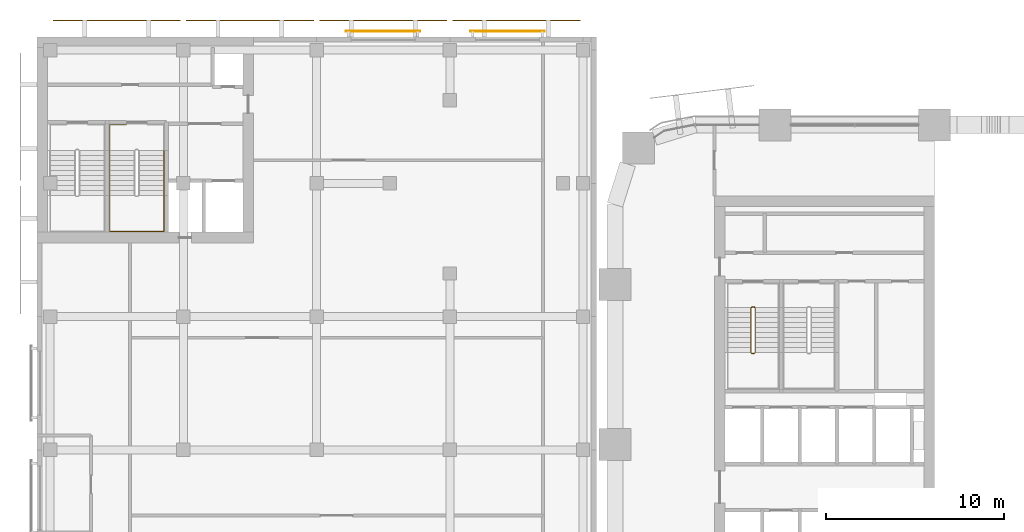
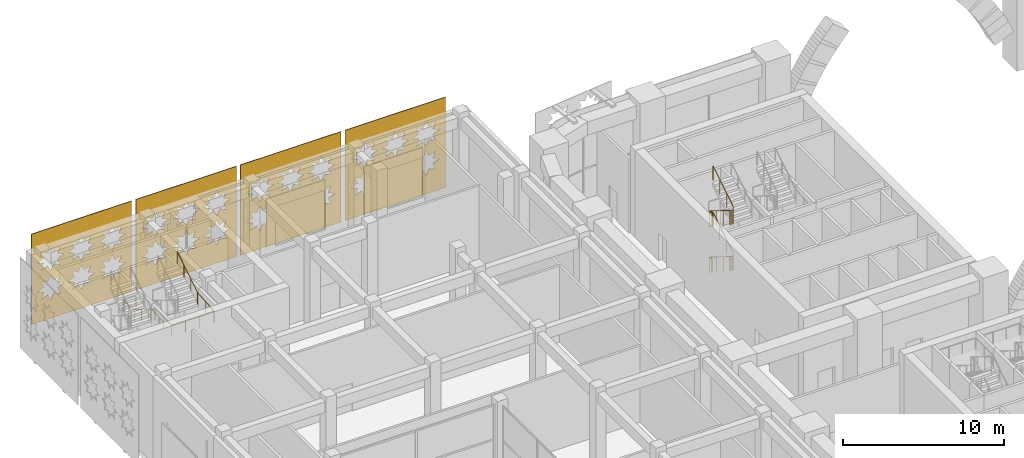
# One storey, part 38 of 42: 6 coverings, 2 railings.
"""IFC4 building model written with IfcOpenShell, lengths in metres."""

from ifc_helpers import new_model, si_unit, direction, frame, origin, origin_2d, place, context, subcontext, project, spatial, polyline, rectangle, circle, outline, extrude, material, layer, layer_set, type_object, element, save


model = new_model("IFC4")

# Units and contexts
model_context = context("Model", 3, precision=1e-05, world=origin(), true_north=direction((0.0, 1.0)))
body_context = subcontext(model_context, "Body", "Model", "MODEL_VIEW")
ifc_project = project(units=[si_unit("LENGTHUNIT", "METRE"), si_unit("AREAUNIT", "SQUARE_METRE"), si_unit("VOLUMEUNIT", "CUBIC_METRE"), si_unit("PLANEANGLEUNIT", "RADIAN"), si_unit("MASSUNIT", "GRAM", prefix="KILO")], contexts=[model_context])

# Site, building, storey
site_placement = place(None, origin())
site = spatial("IfcSite", under=ifc_project, at=site_placement, CompositionType="ELEMENT")
building_placement = place(site_placement, origin())
building = spatial("IfcBuilding", under=site, at=building_placement, Name="Tessera Arch", CompositionType="ELEMENT")
storey_placement = place(building_placement, frame((0.0, 0.0, 14.0)))
storey = spatial("IfcBuildingStorey", under=building, at=storey_placement, Name="L02", CompositionType="ELEMENT", Elevation=14.0)

# Coverings
ifc_material_1 = material(Name="Anodised aluminium pale metal", Category="aluminium")
ifc_layer_1 = layer(ifc_material_1, 0.050048828125)
ifc_layer_set_1 = layer_set([ifc_layer_1], Name="Museum lattice skin panel")
covering_type_1 = type_object("IfcCoveringType", Name="Museum lattice skin panel", PredefinedType="CLADDING", material=ifc_layer_set_1)
covering_1_placement = place(storey_placement, frame((-1.949951171875, 59.85009765625, 6.949951171875), z_axis=(0.0, -1.0, 0.0), x_axis=(-1.0, 0.0, 0.0)))
element("IfcCovering", 1, at=covering_1_placement, inside=storey, type_object=covering_type_1, Name="Museum lattice skin L02 5-2", PredefinedType="CLADDING", context=body_context, shape_type="SweptSolid", body=[
    extrude(outline(polyline([(0.0, 0.0), (7.199951171875, 0.0), (7.199951171875, 6.849853515625), (0.0, 6.849853515625), (0.0, 0.0)]), holes=[polyline([(2.3681640625, 4.52490234375), (1.887939453125, 4.322998046875), (2.083984375, 3.841064453125), (1.60205078125, 4.036865234375), (1.400146484375, 3.556884765625), (1.197998046875, 4.036865234375), (0.716064453125, 3.841064453125), (0.912109375, 4.322998046875), (0.43212890625, 4.52490234375), (0.912109375, 4.72705078125), (0.716064453125, 5.208984375), (1.197998046875, 5.012939453125), (1.400146484375, 5.492919921875), (1.60205078125, 5.012939453125), (2.083984375, 5.208984375), (1.887939453125, 4.72705078125), (2.3681640625, 4.52490234375)]), polyline([(2.3681640625, 2.324951171875), (1.887939453125, 2.123046875), (2.083984375, 1.640869140625), (1.60205078125, 1.8369140625), (1.400146484375, 1.35693359375), (1.197998046875, 1.8369140625), (0.716064453125, 1.640869140625), (0.912109375, 2.123046875), (0.43212890625, 2.324951171875), (0.912109375, 2.52685546875), (0.716064453125, 3.009033203125), (1.197998046875, 2.81298828125), (1.400146484375, 3.29296875), (1.60205078125, 2.81298828125), (2.083984375, 3.009033203125), (1.887939453125, 2.52685546875), (2.3681640625, 2.324951171875)]), polyline([(4.568115234375, 4.52490234375), (4.088134765625, 4.322998046875), (4.283935546875, 3.841064453125), (3.802001953125, 4.036865234375), (3.60009765625, 3.556884765625), (3.39794921875, 4.036865234375), (2.916015625, 3.841064453125), (3.112060546875, 4.322998046875), (2.632080078125, 4.52490234375), (3.112060546875, 4.72705078125), (2.916015625, 5.208984375), (3.39794921875, 5.012939453125), (3.60009765625, 5.492919921875), (3.802001953125, 5.012939453125), (4.283935546875, 5.208984375), (4.088134765625, 4.72705078125), (4.568115234375, 4.52490234375)]), polyline([(4.568115234375, 2.324951171875), (4.088134765625, 2.123046875), (4.283935546875, 1.640869140625), (3.802001953125, 1.8369140625), (3.60009765625, 1.35693359375), (3.39794921875, 1.8369140625), (2.916015625, 1.640869140625), (3.112060546875, 2.123046875), (2.632080078125, 2.324951171875), (3.112060546875, 2.52685546875), (2.916015625, 3.009033203125), (3.39794921875, 2.81298828125), (3.60009765625, 3.29296875), (3.802001953125, 2.81298828125), (4.283935546875, 3.009033203125), (4.088134765625, 2.52685546875), (4.568115234375, 2.324951171875)]), polyline([(6.76806640625, 4.52490234375), (6.2880859375, 4.322998046875), (6.484130859375, 3.841064453125), (6.001953125, 4.036865234375), (5.800048828125, 3.556884765625), (5.59814453125, 4.036865234375), (5.115966796875, 3.841064453125), (5.31201171875, 4.322998046875), (4.83203125, 4.52490234375), (5.31201171875, 4.72705078125), (5.115966796875, 5.208984375), (5.59814453125, 5.012939453125), (5.800048828125, 5.492919921875), (6.001953125, 5.012939453125), (6.484130859375, 5.208984375), (6.2880859375, 4.72705078125), (6.76806640625, 4.52490234375)]), polyline([(6.76806640625, 2.324951171875), (6.2880859375, 2.123046875), (6.484130859375, 1.640869140625), (6.001953125, 1.8369140625), (5.800048828125, 1.35693359375), (5.59814453125, 1.8369140625), (5.115966796875, 1.640869140625), (5.31201171875, 2.123046875), (4.83203125, 2.324951171875), (5.31201171875, 2.52685546875), (5.115966796875, 3.009033203125), (5.59814453125, 2.81298828125), (5.800048828125, 3.29296875), (6.001953125, 2.81298828125), (6.484130859375, 3.009033203125), (6.2880859375, 2.52685546875), (6.76806640625, 2.324951171875)])]), origin(), (0.0, 0.0, -1.0), 0.050048828125),
])
covering_2_placement = place(storey_placement, frame((-9.449951171875, 59.85009765625, 6.949951171875), z_axis=(0.0, -1.0, 0.0), x_axis=(-1.0, 0.0, 0.0)))
element("IfcCovering", 2, at=covering_2_placement, inside=storey, type_object=covering_type_1, Name="Museum lattice skin L02 5-3", PredefinedType="CLADDING", context=body_context, shape_type="SweptSolid", body=[
    extrude(outline(polyline([(0.0, 0.0), (7.199951171875, 0.0), (7.199951171875, 6.849853515625), (0.0, 6.849853515625), (0.0, 0.0)]), holes=[polyline([(2.3681640625, 4.52490234375), (1.887939453125, 4.322998046875), (2.083984375, 3.841064453125), (1.60205078125, 4.036865234375), (1.400146484375, 3.556884765625), (1.197998046875, 4.036865234375), (0.716064453125, 3.841064453125), (0.912109375, 4.322998046875), (0.43212890625, 4.52490234375), (0.912109375, 4.72705078125), (0.716064453125, 5.208984375), (1.197998046875, 5.012939453125), (1.400146484375, 5.492919921875), (1.60205078125, 5.012939453125), (2.083984375, 5.208984375), (1.887939453125, 4.72705078125), (2.3681640625, 4.52490234375)]), polyline([(2.3681640625, 2.324951171875), (1.887939453125, 2.123046875), (2.083984375, 1.640869140625), (1.60205078125, 1.8369140625), (1.400146484375, 1.35693359375), (1.197998046875, 1.8369140625), (0.716064453125, 1.640869140625), (0.912109375, 2.123046875), (0.43212890625, 2.324951171875), (0.912109375, 2.52685546875), (0.716064453125, 3.009033203125), (1.197998046875, 2.81298828125), (1.400146484375, 3.29296875), (1.60205078125, 2.81298828125), (2.083984375, 3.009033203125), (1.887939453125, 2.52685546875), (2.3681640625, 2.324951171875)]), polyline([(4.568115234375, 4.52490234375), (4.088134765625, 4.322998046875), (4.283935546875, 3.841064453125), (3.802001953125, 4.036865234375), (3.60009765625, 3.556884765625), (3.39794921875, 4.036865234375), (2.916015625, 3.841064453125), (3.112060546875, 4.322998046875), (2.632080078125, 4.52490234375), (3.112060546875, 4.72705078125), (2.916015625, 5.208984375), (3.39794921875, 5.012939453125), (3.60009765625, 5.492919921875), (3.802001953125, 5.012939453125), (4.283935546875, 5.208984375), (4.088134765625, 4.72705078125), (4.568115234375, 4.52490234375)]), polyline([(4.568115234375, 2.324951171875), (4.088134765625, 2.123046875), (4.283935546875, 1.640869140625), (3.802001953125, 1.8369140625), (3.60009765625, 1.35693359375), (3.39794921875, 1.8369140625), (2.916015625, 1.640869140625), (3.112060546875, 2.123046875), (2.632080078125, 2.324951171875), (3.112060546875, 2.52685546875), (2.916015625, 3.009033203125), (3.39794921875, 2.81298828125), (3.60009765625, 3.29296875), (3.802001953125, 2.81298828125), (4.283935546875, 3.009033203125), (4.088134765625, 2.52685546875), (4.568115234375, 2.324951171875)]), polyline([(6.76806640625, 4.52490234375), (6.2880859375, 4.322998046875), (6.484130859375, 3.841064453125), (6.001953125, 4.036865234375), (5.800048828125, 3.556884765625), (5.59814453125, 4.036865234375), (5.115966796875, 3.841064453125), (5.31201171875, 4.322998046875), (4.83203125, 4.52490234375), (5.31201171875, 4.72705078125), (5.115966796875, 5.208984375), (5.59814453125, 5.012939453125), (5.800048828125, 5.492919921875), (6.001953125, 5.012939453125), (6.484130859375, 5.208984375), (6.2880859375, 4.72705078125), (6.76806640625, 4.52490234375)]), polyline([(6.76806640625, 2.324951171875), (6.2880859375, 2.123046875), (6.484130859375, 1.640869140625), (6.001953125, 1.8369140625), (5.800048828125, 1.35693359375), (5.59814453125, 1.8369140625), (5.115966796875, 1.640869140625), (5.31201171875, 2.123046875), (4.83203125, 2.324951171875), (5.31201171875, 2.52685546875), (5.115966796875, 3.009033203125), (5.59814453125, 2.81298828125), (5.800048828125, 3.29296875), (6.001953125, 2.81298828125), (6.484130859375, 3.009033203125), (6.2880859375, 2.52685546875), (6.76806640625, 2.324951171875)])]), origin(), (0.0, 0.0, -1.0), 0.050048828125),
])
covering_3_placement = place(storey_placement, frame((-16.949951171875, 59.85009765625, 6.949951171875), z_axis=(0.0, -1.0, 0.0), x_axis=(-1.0, 0.0, 0.0)))
element("IfcCovering", 3, at=covering_3_placement, inside=storey, type_object=covering_type_1, Name="Museum lattice skin L02 5-4", PredefinedType="CLADDING", context=body_context, shape_type="SweptSolid", body=[
    extrude(outline(polyline([(0.0, 0.0), (7.199951171875, 0.0), (7.199951171875, 6.849853515625), (0.0, 6.849853515625), (0.0, 0.0)]), holes=[polyline([(2.3681640625, 4.52490234375), (1.887939453125, 4.322998046875), (2.083984375, 3.841064453125), (1.60205078125, 4.036865234375), (1.400146484375, 3.556884765625), (1.197998046875, 4.036865234375), (0.716064453125, 3.841064453125), (0.912109375, 4.322998046875), (0.43212890625, 4.52490234375), (0.912109375, 4.72705078125), (0.716064453125, 5.208984375), (1.197998046875, 5.012939453125), (1.400146484375, 5.492919921875), (1.60205078125, 5.012939453125), (2.083984375, 5.208984375), (1.887939453125, 4.72705078125), (2.3681640625, 4.52490234375)]), polyline([(2.3681640625, 2.324951171875), (1.887939453125, 2.123046875), (2.083984375, 1.640869140625), (1.60205078125, 1.8369140625), (1.400146484375, 1.35693359375), (1.197998046875, 1.8369140625), (0.716064453125, 1.640869140625), (0.912109375, 2.123046875), (0.43212890625, 2.324951171875), (0.912109375, 2.52685546875), (0.716064453125, 3.009033203125), (1.197998046875, 2.81298828125), (1.400146484375, 3.29296875), (1.60205078125, 2.81298828125), (2.083984375, 3.009033203125), (1.887939453125, 2.52685546875), (2.3681640625, 2.324951171875)]), polyline([(4.568115234375, 4.52490234375), (4.088134765625, 4.322998046875), (4.283935546875, 3.841064453125), (3.802001953125, 4.036865234375), (3.60009765625, 3.556884765625), (3.39794921875, 4.036865234375), (2.916015625, 3.841064453125), (3.112060546875, 4.322998046875), (2.632080078125, 4.52490234375), (3.112060546875, 4.72705078125), (2.916015625, 5.208984375), (3.39794921875, 5.012939453125), (3.60009765625, 5.492919921875), (3.802001953125, 5.012939453125), (4.283935546875, 5.208984375), (4.088134765625, 4.72705078125), (4.568115234375, 4.52490234375)]), polyline([(4.568115234375, 2.324951171875), (4.088134765625, 2.123046875), (4.283935546875, 1.640869140625), (3.802001953125, 1.8369140625), (3.60009765625, 1.35693359375), (3.39794921875, 1.8369140625), (2.916015625, 1.640869140625), (3.112060546875, 2.123046875), (2.632080078125, 2.324951171875), (3.112060546875, 2.52685546875), (2.916015625, 3.009033203125), (3.39794921875, 2.81298828125), (3.60009765625, 3.29296875), (3.802001953125, 2.81298828125), (4.283935546875, 3.009033203125), (4.088134765625, 2.52685546875), (4.568115234375, 2.324951171875)]), polyline([(6.76806640625, 4.52490234375), (6.2880859375, 4.322998046875), (6.484130859375, 3.841064453125), (6.001953125, 4.036865234375), (5.800048828125, 3.556884765625), (5.59814453125, 4.036865234375), (5.115966796875, 3.841064453125), (5.31201171875, 4.322998046875), (4.83203125, 4.52490234375), (5.31201171875, 4.72705078125), (5.115966796875, 5.208984375), (5.59814453125, 5.012939453125), (5.800048828125, 5.492919921875), (6.001953125, 5.012939453125), (6.484130859375, 5.208984375), (6.2880859375, 4.72705078125), (6.76806640625, 4.52490234375)]), polyline([(6.76806640625, 2.324951171875), (6.2880859375, 2.123046875), (6.484130859375, 1.640869140625), (6.001953125, 1.8369140625), (5.800048828125, 1.35693359375), (5.59814453125, 1.8369140625), (5.115966796875, 1.640869140625), (5.31201171875, 2.123046875), (4.83203125, 2.324951171875), (5.31201171875, 2.52685546875), (5.115966796875, 3.009033203125), (5.59814453125, 2.81298828125), (5.800048828125, 3.29296875), (6.001953125, 2.81298828125), (6.484130859375, 3.009033203125), (6.2880859375, 2.52685546875), (6.76806640625, 2.324951171875)])]), origin(), (0.0, 0.0, -1.0), 0.050048828125),
])
covering_4_placement = place(storey_placement, frame((-24.449951171875, 59.85009765625, 6.949951171875), z_axis=(0.0, -1.0, 0.0), x_axis=(-1.0, 0.0, 0.0)))
element("IfcCovering", 4, at=covering_4_placement, inside=storey, type_object=covering_type_1, Name="Museum lattice skin L02 5-5", PredefinedType="CLADDING", context=body_context, shape_type="SweptSolid", body=[
    extrude(outline(polyline([(0.0, 0.0), (7.199951171875, 0.0), (7.199951171875, 6.849853515625), (0.0, 6.849853515625), (0.0, 0.0)]), holes=[polyline([(2.3681640625, 4.52490234375), (1.887939453125, 4.322998046875), (2.083984375, 3.841064453125), (1.60205078125, 4.036865234375), (1.400146484375, 3.556884765625), (1.197998046875, 4.036865234375), (0.716064453125, 3.841064453125), (0.912109375, 4.322998046875), (0.43212890625, 4.52490234375), (0.912109375, 4.72705078125), (0.716064453125, 5.208984375), (1.197998046875, 5.012939453125), (1.400146484375, 5.492919921875), (1.60205078125, 5.012939453125), (2.083984375, 5.208984375), (1.887939453125, 4.72705078125), (2.3681640625, 4.52490234375)]), polyline([(2.3681640625, 2.324951171875), (1.887939453125, 2.123046875), (2.083984375, 1.640869140625), (1.60205078125, 1.8369140625), (1.400146484375, 1.35693359375), (1.197998046875, 1.8369140625), (0.716064453125, 1.640869140625), (0.912109375, 2.123046875), (0.43212890625, 2.324951171875), (0.912109375, 2.52685546875), (0.716064453125, 3.009033203125), (1.197998046875, 2.81298828125), (1.400146484375, 3.29296875), (1.60205078125, 2.81298828125), (2.083984375, 3.009033203125), (1.887939453125, 2.52685546875), (2.3681640625, 2.324951171875)]), polyline([(4.568115234375, 4.52490234375), (4.088134765625, 4.322998046875), (4.283935546875, 3.841064453125), (3.802001953125, 4.036865234375), (3.60009765625, 3.556884765625), (3.39794921875, 4.036865234375), (2.916015625, 3.841064453125), (3.112060546875, 4.322998046875), (2.632080078125, 4.52490234375), (3.112060546875, 4.72705078125), (2.916015625, 5.208984375), (3.39794921875, 5.012939453125), (3.60009765625, 5.492919921875), (3.802001953125, 5.012939453125), (4.283935546875, 5.208984375), (4.088134765625, 4.72705078125), (4.568115234375, 4.52490234375)]), polyline([(4.568115234375, 2.324951171875), (4.088134765625, 2.123046875), (4.283935546875, 1.640869140625), (3.802001953125, 1.8369140625), (3.60009765625, 1.35693359375), (3.39794921875, 1.8369140625), (2.916015625, 1.640869140625), (3.112060546875, 2.123046875), (2.632080078125, 2.324951171875), (3.112060546875, 2.52685546875), (2.916015625, 3.009033203125), (3.39794921875, 2.81298828125), (3.60009765625, 3.29296875), (3.802001953125, 2.81298828125), (4.283935546875, 3.009033203125), (4.088134765625, 2.52685546875), (4.568115234375, 2.324951171875)]), polyline([(6.76806640625, 4.52490234375), (6.2880859375, 4.322998046875), (6.484130859375, 3.841064453125), (6.001953125, 4.036865234375), (5.800048828125, 3.556884765625), (5.59814453125, 4.036865234375), (5.115966796875, 3.841064453125), (5.31201171875, 4.322998046875), (4.83203125, 4.52490234375), (5.31201171875, 4.72705078125), (5.115966796875, 5.208984375), (5.59814453125, 5.012939453125), (5.800048828125, 5.492919921875), (6.001953125, 5.012939453125), (6.484130859375, 5.208984375), (6.2880859375, 4.72705078125), (6.76806640625, 4.52490234375)]), polyline([(6.76806640625, 2.324951171875), (6.2880859375, 2.123046875), (6.484130859375, 1.640869140625), (6.001953125, 1.8369140625), (5.800048828125, 1.35693359375), (5.59814453125, 1.8369140625), (5.115966796875, 1.640869140625), (5.31201171875, 2.123046875), (4.83203125, 2.324951171875), (5.31201171875, 2.52685546875), (5.115966796875, 3.009033203125), (5.59814453125, 2.81298828125), (5.800048828125, 3.29296875), (6.001953125, 2.81298828125), (6.484130859375, 3.009033203125), (6.2880859375, 2.52685546875), (6.76806640625, 2.324951171875)])]), origin(), (0.0, 0.0, -1.0), 0.050048828125),
])
ifc_material_2 = material(Name="Anodised aluminium pale metal", Category="aluminium")
ifc_layer_2 = layer(ifc_material_2, 0.0400390625)
ifc_layer_set_2 = layer_set([ifc_layer_2], Name="Museum screen panel")
covering_type_2 = type_object("IfcCoveringType", Name="Museum screen panel", PredefinedType="CLADDING", material=ifc_layer_set_2)
for number, where, z_axis, x_axis, name in (
    (5, (-6.050048828125, 59.27001953125, 0.599853515625), (0.0, 0.0, 1.0), (-1.0, 0.0, 0.0), "Screen panel museum L02 5-2"),
    (6, (-13.050048828125, 59.27001953125, 0.599853515625), (0.0, 0.0, 1.0), (-1.0, 0.0, 0.0), "Screen panel museum L02 5-3"),
):
    element("IfcCovering", number, at=place(storey_placement, frame(where, z_axis=z_axis, x_axis=x_axis)), inside=storey, type_object=covering_type_2, Name=name, PredefinedType="CLADDING", context=body_context, shape_type="SweptSolid", body=[
        extrude(rectangle(XDim=4.199951171875, YDim=0.0400390625, at=origin_2d()), origin(), (0.0, 0.0, 1.0), 3.60009765625),
    ])

# Railings
ifc_material_3 = material(Name="Painted steel balustrade", Category="steel")
railing_type_1 = type_object("IfcRailingType", Name="Stair guard 1100", PredefinedType="GUARDRAIL", material=ifc_material_3)
railing_1_placement = place(storey_placement, frame((7.699951171875, 43.75, 0.0)))
element("IfcRailing", 7, at=railing_1_placement, inside=storey, type_object=railing_type_1, Name="L02 S2a stair guard 1", PredefinedType="GUARDRAIL", context=body_context, shape_type="SweptSolid", body=[
    extrude(circle(Radius=0.02392578125, at=origin_2d()), frame((-0.00390625, 0.0, 1.076171875), z_axis=(1.0, 0.0, 0.0), x_axis=(0.0, 1.0, 0.0)), (0.0, 0.0, 1.0), 0.158203125),
    extrude(circle(Radius=0.02392578125, at=origin_2d()), frame((0.153076171875, 0.000732421875, 1.073486328125), z_axis=(-0.739816132549, -0.184954033137, 0.646888008582), x_axis=(0.242535625036, -0.970142500145, 0.0)), (0.0, 0.0, 1.0), 0.278564453125),
    extrude(circle(Radius=0.02392578125, at=origin_2d()), frame((-0.050048828125, -0.046630859375, 1.2490234375), z_axis=(0.0, -0.848007534815, 0.529984170421), x_axis=(1.0, 0.0, 0.0)), (0.0, 0.0, 1.0), 2.979736328125),
    extrude(circle(Radius=0.02392578125, at=origin_2d()), frame((-0.052978515625, -2.567138671875, 2.826171875), z_axis=(0.707106781187, -0.707106781187, 0.0), x_axis=(0.707106781187, 0.707106781187, 0.0)), (0.0, 0.0, 1.0), 0.078857421875),
    extrude(circle(Radius=0.02392578125, at=origin_2d()), frame((-0.00390625, -2.6201171875, 2.826171875), z_axis=(1.0, 0.0, 0.0), x_axis=(0.0, 1.0, 0.0)), (0.0, 0.0, 1.0), 0.158203125),
    extrude(circle(Radius=0.02392578125, at=origin_2d()), frame((0.149169921875, -2.62109375, 2.822265625), z_axis=(0.263862480399, 0.265155923931, 0.927399011991), x_axis=(-0.708833529934, 0.705375805398, 0.0)), (0.0, 0.0, 1.0), 0.19677734375),
    extrude(circle(Radius=0.02392578125, at=origin_2d()), frame((0.199951171875, -2.573486328125, 2.9990234375), z_axis=(0.0, 0.848007534815, 0.529984170421), x_axis=(-1.0, 0.0, 0.0)), (0.0, 0.0, 1.0), 2.979736328125),
    extrude(circle(Radius=0.02392578125, at=origin_2d()), frame((0.203857421875, -0.051025390625, 4.576171875), z_axis=(-0.970072785993, 0.242814311512, 0.0), x_axis=(-0.242814311512, -0.970072785993, 0.0)), (0.0, 0.0, 1.0), 0.214111328125),
    extrude(circle(Radius=0.02392578125, at=origin_2d()), frame((-0.00390625, 0.0, 4.576171875), z_axis=(1.0, 0.0, 0.0), x_axis=(0.0, 1.0, 0.0)), (0.0, 0.0, 1.0), 0.158203125),
    extrude(circle(Radius=0.02392578125, at=origin_2d()), frame((0.153076171875, 0.000732421875, 4.573486328125), z_axis=(-0.739816132549, -0.184954033137, 0.646888008582), x_axis=(0.242535625036, -0.970142500145, 0.0)), (0.0, 0.0, 1.0), 0.278564453125),
    extrude(circle(Radius=0.02392578125, at=origin_2d()), frame((-0.050048828125, -0.046630859375, 4.7490234375), z_axis=(0.0, -0.848007534815, 0.529984170421), x_axis=(1.0, 0.0, 0.0)), (0.0, 0.0, 1.0), 2.979736328125),
    extrude(circle(Radius=0.02392578125, at=origin_2d()), frame((-0.052978515625, -2.567138671875, 6.326171875), z_axis=(0.707106781187, -0.707106781187, 0.0), x_axis=(0.707106781187, 0.707106781187, 0.0)), (0.0, 0.0, 1.0), 0.078857421875),
    extrude(circle(Radius=0.02392578125, at=origin_2d()), frame((-0.00390625, -2.6201171875, 6.326171875), z_axis=(1.0, 0.0, 0.0), x_axis=(0.0, 1.0, 0.0)), (0.0, 0.0, 1.0), 0.158203125),
    extrude(circle(Radius=0.02392578125, at=origin_2d()), frame((0.149169921875, -2.62109375, 6.322265625), z_axis=(0.263862480399, 0.265155923931, 0.927399011991), x_axis=(-0.708833529934, 0.705375805398, 0.0)), (0.0, 0.0, 1.0), 0.19677734375),
    extrude(circle(Radius=0.02392578125, at=origin_2d()), frame((0.199951171875, -2.573486328125, 6.4990234375), z_axis=(0.0, 0.848007534815, 0.529984170421), x_axis=(-1.0, 0.0, 0.0)), (0.0, 0.0, 1.0), 2.979736328125),
    extrude(circle(Radius=0.02099609375, at=origin_2d()), origin(), (0.0, 0.0, 1.0), 1.06396484375),
    extrude(circle(Radius=0.02099609375, at=origin_2d()), frame((0.150146484375, 0.0, 0.0)), (0.0, 0.0, 1.0), 1.06396484375),
    extrude(circle(Radius=0.02099609375, at=origin_2d()), frame((-0.050048828125, -0.050048828125, 0.175048828125)), (0.0, 0.0, 1.0), 1.06396484375),
    extrude(circle(Radius=0.02099609375, at=origin_2d()), frame((-0.050048828125, -0.89013671875, 0.699951171875)), (0.0, 0.0, 1.0), 1.06396484375),
    extrude(circle(Radius=0.02099609375, at=origin_2d()), frame((-0.050048828125, -1.72998046875, 1.22509765625)), (0.0, 0.0, 1.0), 1.06396484375),
    extrude(circle(Radius=0.02099609375, at=origin_2d()), frame((-0.050048828125, -2.570068359375, 1.75)), (0.0, 0.0, 1.0), 1.06396484375),
    extrude(circle(Radius=0.02099609375, at=origin_2d()), frame((0.0, -2.6201171875, 1.75)), (0.0, 0.0, 1.0), 1.06396484375),
    extrude(circle(Radius=0.02099609375, at=origin_2d()), frame((0.150146484375, -2.6201171875, 1.75)), (0.0, 0.0, 1.0), 1.06396484375),
    extrude(circle(Radius=0.02099609375, at=origin_2d()), frame((0.199951171875, -2.570068359375, 1.925048828125)), (0.0, 0.0, 1.0), 1.06396484375),
    extrude(circle(Radius=0.02099609375, at=origin_2d()), frame((0.199951171875, -1.72998046875, 2.449951171875)), (0.0, 0.0, 1.0), 1.06396484375),
    extrude(circle(Radius=0.02099609375, at=origin_2d()), frame((0.199951171875, -0.89013671875, 2.97509765625)), (0.0, 0.0, 1.0), 1.06396484375),
    extrude(circle(Radius=0.02099609375, at=origin_2d()), frame((0.199951171875, -0.050048828125, 3.5)), (0.0, 0.0, 1.0), 1.06396484375),
    extrude(circle(Radius=0.02099609375, at=origin_2d()), frame((0.0, 0.0, 3.5)), (0.0, 0.0, 1.0), 1.06396484375),
    extrude(circle(Radius=0.02099609375, at=origin_2d()), frame((0.150146484375, 0.0, 3.5)), (0.0, 0.0, 1.0), 1.06396484375),
    extrude(circle(Radius=0.02099609375, at=origin_2d()), frame((-0.050048828125, -0.050048828125, 3.675048828125)), (0.0, 0.0, 1.0), 1.06396484375),
    extrude(circle(Radius=0.02099609375, at=origin_2d()), frame((-0.050048828125, -0.89013671875, 4.199951171875)), (0.0, 0.0, 1.0), 1.06396484375),
    extrude(circle(Radius=0.02099609375, at=origin_2d()), frame((-0.050048828125, -1.72998046875, 4.72509765625)), (0.0, 0.0, 1.0), 1.06396484375),
    extrude(circle(Radius=0.02099609375, at=origin_2d()), frame((-0.050048828125, -2.570068359375, 5.25)), (0.0, 0.0, 1.0), 1.06396484375),
    extrude(circle(Radius=0.02099609375, at=origin_2d()), frame((0.0, -2.6201171875, 5.25)), (0.0, 0.0, 1.0), 1.06396484375),
    extrude(circle(Radius=0.02099609375, at=origin_2d()), frame((0.150146484375, -2.6201171875, 5.25)), (0.0, 0.0, 1.0), 1.06396484375),
    extrude(circle(Radius=0.02099609375, at=origin_2d()), frame((0.199951171875, -2.570068359375, 5.425048828125)), (0.0, 0.0, 1.0), 1.06396484375),
    extrude(circle(Radius=0.02099609375, at=origin_2d()), frame((0.199951171875, -1.72998046875, 5.949951171875)), (0.0, 0.0, 1.0), 1.06396484375),
    extrude(circle(Radius=0.02099609375, at=origin_2d()), frame((0.199951171875, -0.89013671875, 6.47509765625)), (0.0, 0.0, 1.0), 1.06396484375),
    extrude(circle(Radius=0.02099609375, at=origin_2d()), frame((0.199951171875, -0.050048828125, 7.0)), (0.0, 0.0, 1.0), 1.06396484375),
])
ifc_material_4 = material(Name="Painted steel handrail", Category="steel")
railing_type_2 = type_object("IfcRailingType", Name="Stair handrail 900", PredefinedType="HANDRAIL", material=ifc_material_4)
railing_2_placement = place(storey_placement, frame((-27.52490234375, 54.0, 3.5)))
element("IfcRailing", 8, at=railing_2_placement, inside=storey, type_object=railing_type_2, Name="L02 M1b stair handrail 2", PredefinedType="HANDRAIL", context=body_context, shape_type="SweptSolid", body=[
    extrude(circle(Radius=0.02392578125, at=origin_2d()), frame((0.00390625, 0.0, 0.8759765625), z_axis=(-1.0, 0.0, 0.0), x_axis=(0.0, -1.0, 0.0)), (0.0, 0.0, 1.0), 0.93310546875),
    extrude(circle(Radius=0.02392578125, at=origin_2d()), frame((-0.925048828125, 0.00390625, 0.87548828125), z_axis=(0.0, -0.992791155251, 0.119857090136), x_axis=(1.0, 0.0, 0.0)), (0.0, 0.0, 1.0), 1.468505859375),
    extrude(circle(Radius=0.02392578125, at=origin_2d()), frame((-0.925048828125, -1.446533203125, 1.048828125), z_axis=(0.0, -0.848007534815, 0.529984170421), x_axis=(1.0, 0.0, 0.0)), (0.0, 0.0, 1.0), 2.979736328125),
    extrude(circle(Radius=0.02392578125, at=origin_2d()), frame((-0.925048828125, -3.966064453125, 2.6259765625), z_axis=(0.0, -1.0, 0.0), x_axis=(1.0, 0.0, 0.0)), (0.0, 0.0, 1.0), 2.0380859375),
    extrude(circle(Radius=0.02392578125, at=origin_2d()), frame((-0.928955078125, -6.0, 2.6259765625), z_axis=(1.0, 0.0, 0.0), x_axis=(0.0, 1.0, 0.0)), (0.0, 0.0, 1.0), 3.05810546875),
    extrude(circle(Radius=0.02392578125, at=origin_2d()), frame((2.125, -6.00390625, 2.62548828125), z_axis=(0.0, 0.996302824165, 0.085910898969), x_axis=(-1.0, 0.0, 0.0)), (0.0, 0.0, 1.0), 2.045654296875),
    extrude(circle(Radius=0.02392578125, at=origin_2d()), frame((2.125, -3.973388671875, 2.798828125), z_axis=(0.0, 0.848007534815, 0.529984170421), x_axis=(-1.0, 0.0, 0.0)), (0.0, 0.0, 1.0), 2.979736328125),
    extrude(circle(Radius=0.02099609375, at=origin_2d()), origin(), (0.0, 0.0, 1.0), 0.86376953125),
    extrude(circle(Radius=0.02099609375, at=origin_2d()), frame((-0.925048828125, 0.0, 0.0)), (0.0, 0.0, 1.0), 0.86376953125),
    extrude(circle(Radius=0.02099609375, at=origin_2d()), frame((-0.925048828125, -0.72509765625, 0.08740234375)), (0.0, 0.0, 1.0), 0.86376953125),
    extrude(circle(Radius=0.02099609375, at=origin_2d()), frame((-0.925048828125, -1.449951171875, 0.175048828125)), (0.0, 0.0, 1.0), 0.86376953125),
    extrude(circle(Radius=0.02099609375, at=origin_2d()), frame((-0.925048828125, -2.2900390625, 0.699951171875)), (0.0, 0.0, 1.0), 0.86376953125),
    extrude(circle(Radius=0.02099609375, at=origin_2d()), frame((-0.925048828125, -3.1298828125, 1.22509765625)), (0.0, 0.0, 1.0), 0.86376953125),
    extrude(circle(Radius=0.02099609375, at=origin_2d()), frame((-0.925048828125, -3.969970703125, 1.75)), (0.0, 0.0, 1.0), 0.86376953125),
    extrude(circle(Radius=0.02099609375, at=origin_2d()), frame((-0.925048828125, -4.98486328125, 1.75)), (0.0, 0.0, 1.0), 0.86376953125),
    extrude(circle(Radius=0.02099609375, at=origin_2d()), frame((-0.925048828125, -6.0, 1.75)), (0.0, 0.0, 1.0), 0.86376953125),
    extrude(circle(Radius=0.02099609375, at=origin_2d()), frame((0.091552734375, -6.0, 1.75)), (0.0, 0.0, 1.0), 0.86376953125),
    extrude(circle(Radius=0.02099609375, at=origin_2d()), frame((1.1083984375, -6.0, 1.75)), (0.0, 0.0, 1.0), 0.86376953125),
    extrude(circle(Radius=0.02099609375, at=origin_2d()), frame((2.125, -6.0, 1.75)), (0.0, 0.0, 1.0), 0.86376953125),
    extrude(circle(Radius=0.02099609375, at=origin_2d()), frame((2.125, -4.98486328125, 1.83740234375)), (0.0, 0.0, 1.0), 0.86376953125),
    extrude(circle(Radius=0.02099609375, at=origin_2d()), frame((2.125, -3.969970703125, 1.925048828125)), (0.0, 0.0, 1.0), 0.86376953125),
    extrude(circle(Radius=0.02099609375, at=origin_2d()), frame((2.125, -3.1298828125, 2.449951171875)), (0.0, 0.0, 1.0), 0.86376953125),
    extrude(circle(Radius=0.02099609375, at=origin_2d()), frame((2.125, -2.2900390625, 2.97509765625)), (0.0, 0.0, 1.0), 0.86376953125),
    extrude(circle(Radius=0.02099609375, at=origin_2d()), frame((2.125, -1.449951171875, 3.5)), (0.0, 0.0, 1.0), 0.86376953125),
])

save(model, "model.ifc")
